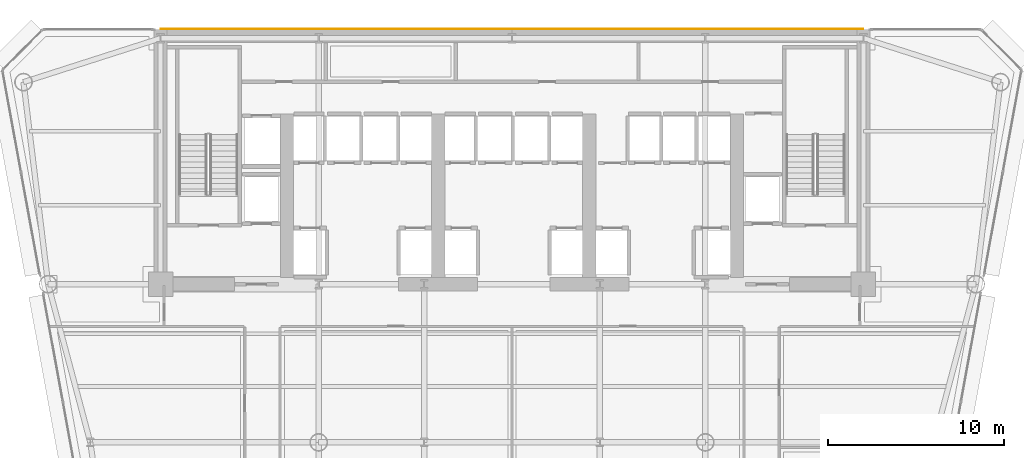
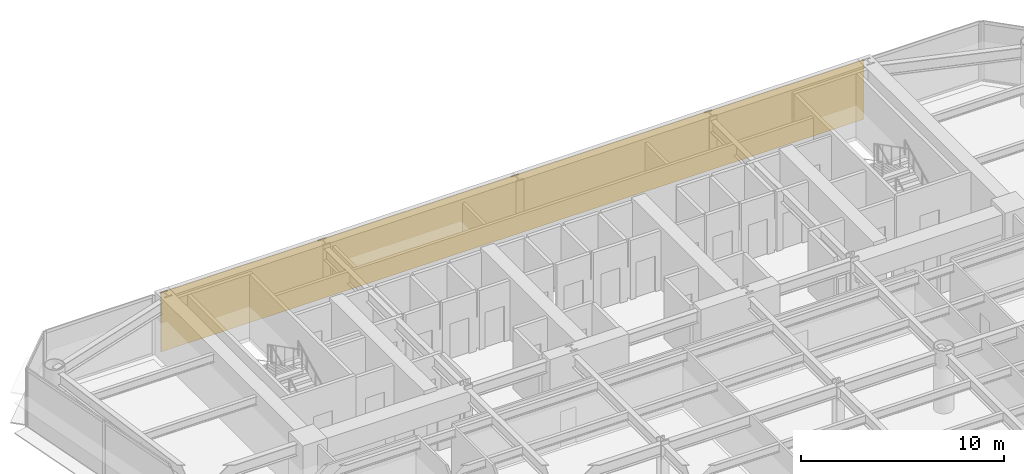
# One storey, part 13 of 14: 1 covering.
"""IFC4 building model written with IfcOpenShell, lengths in metres."""

from ifc_helpers import new_model, si_unit, direction, frame, origin, place, context, subcontext, project, spatial, polyline, outline, extrude, material, layer, layer_set, type_object, element, save


model = new_model("IFC4")

# Units and contexts
model_context = context("Model", 3, precision=1e-05, world=origin(), true_north=direction((0.0, 1.0)))
body_context = subcontext(model_context, "Body", "Model", "MODEL_VIEW")
ifc_project = project(units=[si_unit("LENGTHUNIT", "METRE"), si_unit("AREAUNIT", "SQUARE_METRE"), si_unit("VOLUMEUNIT", "CUBIC_METRE"), si_unit("PLANEANGLEUNIT", "RADIAN"), si_unit("MASSUNIT", "GRAM", prefix="KILO")], contexts=[model_context])

# Site, building, storey
site_placement = place(None, origin())
site = spatial("IfcSite", under=ifc_project, at=site_placement, CompositionType="ELEMENT")
building_placement = place(site_placement, origin())
building = spatial("IfcBuilding", under=site, at=building_placement, Name="Vaeldorn Concourse Tower", CompositionType="ELEMENT")
storey_placement = place(building_placement, frame((0.0, 0.0, 99.60009765625)))
storey = spatial("IfcBuildingStorey", under=building, at=storey_placement, Name="L25", CompositionType="ELEMENT", Elevation=99.60009765625)

# Covering
ifc_material = material(Name="Anodised Bronze Aluminium", Category="aluminium")
ifc_layer = layer(ifc_material, 0.050048828125)
ifc_layer_set = layer_set([ifc_layer], Name="Anodised Bronze Aluminium")
covering_type = type_object("IfcCoveringType", Name="COV-CLAD-BRONZE", PredefinedType="CLADDING", material=ifc_layer_set)
covering_placement = place(storey_placement, origin())
element("IfcCovering", 1, at=covering_placement, inside=storey, type_object=covering_type, Name="Rear Core Bronze Spandrel Cladding L25", PredefinedType="CLADDING", context=body_context, shape_type="SweptSolid", body=[
    extrude(outline(polyline([(14.0, 51.0), (54.0, 51.0), (54.0, 51.050048828125), (14.0, 51.050048828125), (14.0, 51.0)])), origin(), (0.0, 0.0, 1.0), 3.579833984375),
])

save(model, "model.ifc")
